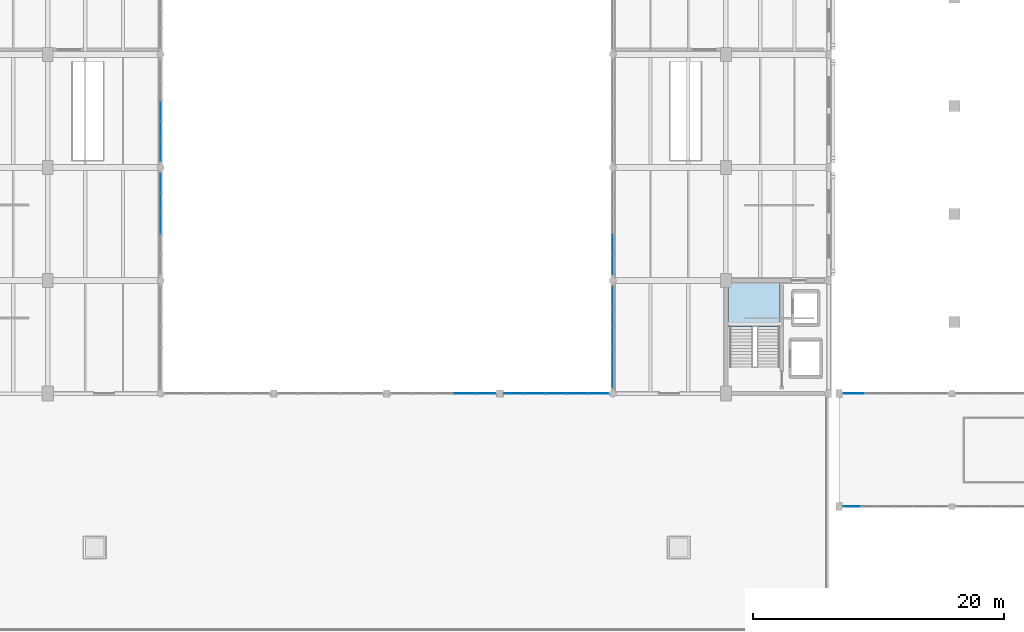
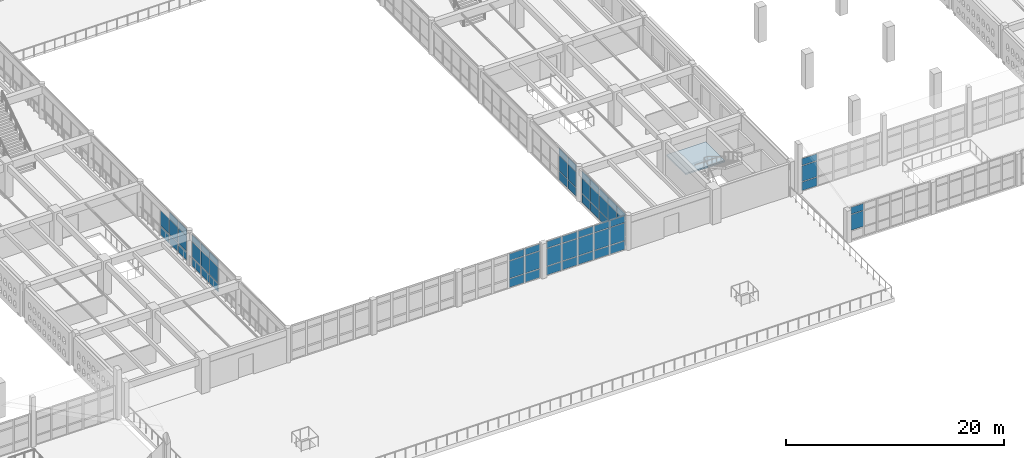
# One storey, part 110 of 156: 64 plates, 1 slab, 9 elements without a shape of their own.
"""IFC4 building model written with IfcOpenShell, lengths in metres."""

from ifc_helpers import new_model, si_unit, direction, frame, origin, origin_2d, place, context, subcontext, project, spatial, polyline, rectangle, outline, extrude, material, layer, layer_set, type_object, element, aggregate, save


model = new_model("IFC4")

# Units and contexts
model_context = context("Model", 3, precision=1e-05, world=origin(), true_north=direction((0.0, 1.0)))
body_context = subcontext(model_context, "Body", "Model", "MODEL_VIEW")
ifc_project = project(units=[si_unit("LENGTHUNIT", "METRE"), si_unit("AREAUNIT", "SQUARE_METRE"), si_unit("VOLUMEUNIT", "CUBIC_METRE"), si_unit("PLANEANGLEUNIT", "RADIAN"), si_unit("MASSUNIT", "GRAM", prefix="KILO")], contexts=[model_context])

# Site, building, storey
site_placement = place(None, origin())
site = spatial("IfcSite", under=ifc_project, at=site_placement, CompositionType="ELEMENT")
building_placement = place(site_placement, origin())
building = spatial("IfcBuilding", under=site, at=building_placement, Name="Ornek Quay Market", CompositionType="ELEMENT")
storey_placement = place(building_placement, frame((0.0, 0.0, 4.5)))
storey = spatial("IfcBuildingStorey", under=building, at=storey_placement, Name="L01", CompositionType="ELEMENT", Elevation=4.5)

# Curtain wall, plates
ifc_material_1 = material(Name="Anodised bronze aluminium and triple low-e glass", Category="aluminium")
ifc_layer_1 = layer(ifc_material_1, 0.139892578125, Name="Anodised bronze aluminium and triple low-e glass", Category="aluminium")
ifc_layer_set_1 = layer_set([ifc_layer_1], Name="Anodised bronze aluminium and triple low-e glass")
curtain_wall_type_1 = type_object("IfcCurtainWallType", Name="CW-GALLERY-INT", PredefinedType="USERDEFINED", material=ifc_layer_set_1)
curtain_wall_1_placement = place(storey_placement, origin())
curtain_wall_1 = element("IfcCurtainWall", 1, at=curtain_wall_1_placement, inside=storey, type_object=curtain_wall_type_1, Name="Curtain wall CW-098", ObjectType="CURTAIN WALL", PredefinedType="USERDEFINED")
ifc_material_2 = material(Name="Toughened laminated acoustic glass", Category="glass")
ifc_layer_2 = layer(ifc_material_2, 0.01611328125, Name="Toughened laminated acoustic glass", Category="glass")
ifc_layer_set_2 = layer_set([ifc_layer_2], Name="Toughened laminated acoustic glass")
plate_type_1 = type_object("IfcPlateType", Name="PL-CW-INT-16", PredefinedType="CURTAIN_PANEL", material=ifc_layer_set_2)
plate_1_placement = place(storey_placement, frame((72.0, 42.5, 0.06005859375), z_axis=(0.0, 0.0, 1.0), x_axis=(0.0, 1.0, 0.0)))
plate_1 = element("IfcPlate", 2, at=plate_1_placement, type_object=plate_type_1, Name="CW-098 panel 3.1", PredefinedType="CURTAIN_PANEL", context=body_context, shape_type="SweptSolid", body=[
    extrude(rectangle(XDim=1.56005859375, YDim=0.01611328125, at=origin_2d()), origin(), (0.0, 0.0, 1.0), 0.9599609375),
])
plate_2_placement = place(storey_placement, frame((72.0, 42.5, 1.080078125), z_axis=(0.0, 0.0, 1.0), x_axis=(0.0, 1.0, 0.0)))
plate_2 = element("IfcPlate", 3, at=plate_2_placement, type_object=plate_type_1, Name="CW-098 panel 3.2", PredefinedType="CURTAIN_PANEL", context=body_context, shape_type="SweptSolid", body=[
    extrude(rectangle(XDim=1.56005859375, YDim=0.01611328125, at=origin_2d()), origin(), (0.0, 0.0, 1.0), 1.699951171875),
])
plate_3_placement = place(storey_placement, frame((72.0, 42.5, 2.83984375), z_axis=(0.0, 0.0, 1.0), x_axis=(0.0, 1.0, 0.0)))
plate_3 = element("IfcPlate", 4, at=plate_3_placement, type_object=plate_type_1, Name="CW-098 panel 3.3", PredefinedType="CURTAIN_PANEL", context=body_context, shape_type="SweptSolid", body=[
    extrude(rectangle(XDim=1.56005859375, YDim=0.01611328125, at=origin_2d()), origin(), (0.0, 0.0, 1.0), 0.760009765625),
])
plate_4_placement = place(storey_placement, frame((72.0, 44.1201171875, 0.06005859375), z_axis=(0.0, 0.0, 1.0), x_axis=(0.0, 1.0, 0.0)))
plate_4 = element("IfcPlate", 5, at=plate_4_placement, type_object=plate_type_1, Name="CW-098 panel 4.1", PredefinedType="CURTAIN_PANEL", context=body_context, shape_type="SweptSolid", body=[
    extrude(rectangle(XDim=1.56005859375, YDim=0.01611328125, at=origin_2d()), origin(), (0.0, 0.0, 1.0), 0.9599609375),
])
plate_5_placement = place(storey_placement, frame((72.0, 44.1201171875, 1.080078125), z_axis=(0.0, 0.0, 1.0), x_axis=(0.0, 1.0, 0.0)))
plate_5 = element("IfcPlate", 6, at=plate_5_placement, type_object=plate_type_1, Name="CW-098 panel 4.2", PredefinedType="CURTAIN_PANEL", context=body_context, shape_type="SweptSolid", body=[
    extrude(rectangle(XDim=1.56005859375, YDim=0.01611328125, at=origin_2d()), origin(), (0.0, 0.0, 1.0), 1.699951171875),
])
plate_6_placement = place(storey_placement, frame((72.0, 44.1201171875, 2.83984375), z_axis=(0.0, 0.0, 1.0), x_axis=(0.0, 1.0, 0.0)))
plate_6 = element("IfcPlate", 7, at=plate_6_placement, type_object=plate_type_1, Name="CW-098 panel 4.3", PredefinedType="CURTAIN_PANEL", context=body_context, shape_type="SweptSolid", body=[
    extrude(rectangle(XDim=1.56005859375, YDim=0.01611328125, at=origin_2d()), origin(), (0.0, 0.0, 1.0), 0.760009765625),
])
plate_7_placement = place(storey_placement, frame((72.0, 45.72509765625, 0.06005859375), z_axis=(0.0, 0.0, 1.0), x_axis=(0.0, 1.0, 0.0)))
plate_7 = element("IfcPlate", 8, at=plate_7_placement, type_object=plate_type_1, Name="CW-098 panel 5.1", PredefinedType="CURTAIN_PANEL", context=body_context, shape_type="SweptSolid", body=[
    extrude(rectangle(XDim=1.530029296875, YDim=0.01611328125, at=origin_2d()), origin(), (0.0, 0.0, 1.0), 0.9599609375),
])
plate_8_placement = place(storey_placement, frame((72.0, 45.72509765625, 1.080078125), z_axis=(0.0, 0.0, 1.0), x_axis=(0.0, 1.0, 0.0)))
plate_8 = element("IfcPlate", 9, at=plate_8_placement, type_object=plate_type_1, Name="CW-098 panel 5.2", PredefinedType="CURTAIN_PANEL", context=body_context, shape_type="SweptSolid", body=[
    extrude(rectangle(XDim=1.530029296875, YDim=0.01611328125, at=origin_2d()), origin(), (0.0, 0.0, 1.0), 1.699951171875),
])
plate_9_placement = place(storey_placement, frame((72.0, 45.72509765625, 2.83984375), z_axis=(0.0, 0.0, 1.0), x_axis=(0.0, 1.0, 0.0)))
plate_9 = element("IfcPlate", 10, at=plate_9_placement, type_object=plate_type_1, Name="CW-098 panel 5.3", PredefinedType="CURTAIN_PANEL", context=body_context, shape_type="SweptSolid", body=[
    extrude(rectangle(XDim=1.530029296875, YDim=0.01611328125, at=origin_2d()), origin(), (0.0, 0.0, 1.0), 0.760009765625),
])
aggregate(curtain_wall_1, [plate_1, plate_2, plate_3, plate_4, plate_5, plate_6, plate_7, plate_8, plate_9])

curtain_wall_2_placement = place(storey_placement, origin())
curtain_wall_2 = element("IfcCurtainWall", 11, at=curtain_wall_2_placement, inside=storey, type_object=curtain_wall_type_1, Name="Curtain wall CW-099", ObjectType="CURTAIN WALL", PredefinedType="USERDEFINED")
plate_10_placement = place(storey_placement, frame((72.0, 48.27490234375, 0.06005859375), z_axis=(0.0, 0.0, 1.0), x_axis=(0.0, 1.0, 0.0)))
plate_10 = element("IfcPlate", 12, at=plate_10_placement, type_object=plate_type_1, Name="CW-099 panel 1.1", PredefinedType="CURTAIN_PANEL", context=body_context, shape_type="SweptSolid", body=[
    extrude(rectangle(XDim=1.530029296875, YDim=0.01611328125, at=origin_2d()), origin(), (0.0, 0.0, 1.0), 0.9599609375),
])
plate_11_placement = place(storey_placement, frame((72.0, 48.27490234375, 1.080078125), z_axis=(0.0, 0.0, 1.0), x_axis=(0.0, 1.0, 0.0)))
plate_11 = element("IfcPlate", 13, at=plate_11_placement, type_object=plate_type_1, Name="CW-099 panel 1.2", PredefinedType="CURTAIN_PANEL", context=body_context, shape_type="SweptSolid", body=[
    extrude(rectangle(XDim=1.530029296875, YDim=0.01611328125, at=origin_2d()), origin(), (0.0, 0.0, 1.0), 1.699951171875),
])
plate_12_placement = place(storey_placement, frame((72.0, 48.27490234375, 2.83984375), z_axis=(0.0, 0.0, 1.0), x_axis=(0.0, 1.0, 0.0)))
plate_12 = element("IfcPlate", 14, at=plate_12_placement, type_object=plate_type_1, Name="CW-099 panel 1.3", PredefinedType="CURTAIN_PANEL", context=body_context, shape_type="SweptSolid", body=[
    extrude(rectangle(XDim=1.530029296875, YDim=0.01611328125, at=origin_2d()), origin(), (0.0, 0.0, 1.0), 0.760009765625),
])
plate_13_placement = place(storey_placement, frame((72.0, 49.8798828125, 0.06005859375), z_axis=(0.0, 0.0, 1.0), x_axis=(0.0, 1.0, 0.0)))
plate_13 = element("IfcPlate", 15, at=plate_13_placement, type_object=plate_type_1, Name="CW-099 panel 2.1", PredefinedType="CURTAIN_PANEL", context=body_context, shape_type="SweptSolid", body=[
    extrude(rectangle(XDim=1.56005859375, YDim=0.01611328125, at=origin_2d()), origin(), (0.0, 0.0, 1.0), 0.9599609375),
])
plate_14_placement = place(storey_placement, frame((72.0, 49.8798828125, 1.080078125), z_axis=(0.0, 0.0, 1.0), x_axis=(0.0, 1.0, 0.0)))
plate_14 = element("IfcPlate", 16, at=plate_14_placement, type_object=plate_type_1, Name="CW-099 panel 2.2", PredefinedType="CURTAIN_PANEL", context=body_context, shape_type="SweptSolid", body=[
    extrude(rectangle(XDim=1.56005859375, YDim=0.01611328125, at=origin_2d()), origin(), (0.0, 0.0, 1.0), 1.699951171875),
])
plate_15_placement = place(storey_placement, frame((72.0, 49.8798828125, 2.83984375), z_axis=(0.0, 0.0, 1.0), x_axis=(0.0, 1.0, 0.0)))
plate_15 = element("IfcPlate", 17, at=plate_15_placement, type_object=plate_type_1, Name="CW-099 panel 2.3", PredefinedType="CURTAIN_PANEL", context=body_context, shape_type="SweptSolid", body=[
    extrude(rectangle(XDim=1.56005859375, YDim=0.01611328125, at=origin_2d()), origin(), (0.0, 0.0, 1.0), 0.760009765625),
])
plate_16_placement = place(storey_placement, frame((72.0, 51.5, 0.06005859375), z_axis=(0.0, 0.0, 1.0), x_axis=(0.0, 1.0, 0.0)))
plate_16 = element("IfcPlate", 18, at=plate_16_placement, type_object=plate_type_1, Name="CW-099 panel 3.1", PredefinedType="CURTAIN_PANEL", context=body_context, shape_type="SweptSolid", body=[
    extrude(rectangle(XDim=1.56005859375, YDim=0.01611328125, at=origin_2d()), origin(), (0.0, 0.0, 1.0), 0.9599609375),
])
plate_17_placement = place(storey_placement, frame((72.0, 51.5, 1.080078125), z_axis=(0.0, 0.0, 1.0), x_axis=(0.0, 1.0, 0.0)))
plate_17 = element("IfcPlate", 19, at=plate_17_placement, type_object=plate_type_1, Name="CW-099 panel 3.2", PredefinedType="CURTAIN_PANEL", context=body_context, shape_type="SweptSolid", body=[
    extrude(rectangle(XDim=1.56005859375, YDim=0.01611328125, at=origin_2d()), origin(), (0.0, 0.0, 1.0), 1.699951171875),
])
aggregate(curtain_wall_2, [plate_10, plate_11, plate_12, plate_13, plate_14, plate_15, plate_16, plate_17])

curtain_wall_3_placement = place(storey_placement, origin())
curtain_wall_3 = element("IfcCurtainWall", 20, at=curtain_wall_3_placement, inside=storey, type_object=curtain_wall_type_1, Name="Curtain wall CW-103", ObjectType="CURTAIN WALL", PredefinedType="USERDEFINED")
plate_18_placement = place(storey_placement, frame((108.0, 30.27490234375, 0.06005859375), z_axis=(0.0, 0.0, 1.0), x_axis=(0.0, 1.0, 0.0)))
plate_18 = element("IfcPlate", 21, at=plate_18_placement, type_object=plate_type_1, Name="CW-103 panel 1.1", PredefinedType="CURTAIN_PANEL", context=body_context, shape_type="SweptSolid", body=[
    extrude(rectangle(XDim=1.530029296875, YDim=0.01611328125, at=origin_2d()), origin(), (0.0, 0.0, 1.0), 0.9599609375),
])
plate_19_placement = place(storey_placement, frame((108.0, 30.27490234375, 1.080078125), z_axis=(0.0, 0.0, 1.0), x_axis=(0.0, 1.0, 0.0)))
plate_19 = element("IfcPlate", 22, at=plate_19_placement, type_object=plate_type_1, Name="CW-103 panel 1.2", PredefinedType="CURTAIN_PANEL", context=body_context, shape_type="SweptSolid", body=[
    extrude(rectangle(XDim=1.530029296875, YDim=0.01611328125, at=origin_2d()), origin(), (0.0, 0.0, 1.0), 1.699951171875),
])
plate_20_placement = place(storey_placement, frame((108.0, 30.27490234375, 2.83984375), z_axis=(0.0, 0.0, 1.0), x_axis=(0.0, 1.0, 0.0)))
plate_20 = element("IfcPlate", 23, at=plate_20_placement, type_object=plate_type_1, Name="CW-103 panel 1.3", PredefinedType="CURTAIN_PANEL", context=body_context, shape_type="SweptSolid", body=[
    extrude(rectangle(XDim=1.530029296875, YDim=0.01611328125, at=origin_2d()), origin(), (0.0, 0.0, 1.0), 0.760009765625),
])
plate_21_placement = place(storey_placement, frame((108.0, 31.8798828125, 0.06005859375), z_axis=(0.0, 0.0, 1.0), x_axis=(0.0, 1.0, 0.0)))
plate_21 = element("IfcPlate", 24, at=plate_21_placement, type_object=plate_type_1, Name="CW-103 panel 2.1", PredefinedType="CURTAIN_PANEL", context=body_context, shape_type="SweptSolid", body=[
    extrude(rectangle(XDim=1.56005859375, YDim=0.01611328125, at=origin_2d()), origin(), (0.0, 0.0, 1.0), 0.9599609375),
])
plate_22_placement = place(storey_placement, frame((108.0, 31.8798828125, 1.080078125), z_axis=(0.0, 0.0, 1.0), x_axis=(0.0, 1.0, 0.0)))
plate_22 = element("IfcPlate", 25, at=plate_22_placement, type_object=plate_type_1, Name="CW-103 panel 2.2", PredefinedType="CURTAIN_PANEL", context=body_context, shape_type="SweptSolid", body=[
    extrude(rectangle(XDim=1.56005859375, YDim=0.01611328125, at=origin_2d()), origin(), (0.0, 0.0, 1.0), 1.699951171875),
])
plate_23_placement = place(storey_placement, frame((108.0, 31.8798828125, 2.83984375), z_axis=(0.0, 0.0, 1.0), x_axis=(0.0, 1.0, 0.0)))
plate_23 = element("IfcPlate", 26, at=plate_23_placement, type_object=plate_type_1, Name="CW-103 panel 2.3", PredefinedType="CURTAIN_PANEL", context=body_context, shape_type="SweptSolid", body=[
    extrude(rectangle(XDim=1.56005859375, YDim=0.01611328125, at=origin_2d()), origin(), (0.0, 0.0, 1.0), 0.760009765625),
])
plate_24_placement = place(storey_placement, frame((108.0, 33.5, 0.06005859375), z_axis=(0.0, 0.0, 1.0), x_axis=(0.0, 1.0, 0.0)))
plate_24 = element("IfcPlate", 27, at=plate_24_placement, type_object=plate_type_1, Name="CW-103 panel 3.1", PredefinedType="CURTAIN_PANEL", context=body_context, shape_type="SweptSolid", body=[
    extrude(rectangle(XDim=1.56005859375, YDim=0.01611328125, at=origin_2d()), origin(), (0.0, 0.0, 1.0), 0.9599609375),
])
plate_25_placement = place(storey_placement, frame((108.0, 33.5, 1.080078125), z_axis=(0.0, 0.0, 1.0), x_axis=(0.0, 1.0, 0.0)))
plate_25 = element("IfcPlate", 28, at=plate_25_placement, type_object=plate_type_1, Name="CW-103 panel 3.2", PredefinedType="CURTAIN_PANEL", context=body_context, shape_type="SweptSolid", body=[
    extrude(rectangle(XDim=1.56005859375, YDim=0.01611328125, at=origin_2d()), origin(), (0.0, 0.0, 1.0), 1.699951171875),
])
plate_26_placement = place(storey_placement, frame((108.0, 33.5, 2.83984375), z_axis=(0.0, 0.0, 1.0), x_axis=(0.0, 1.0, 0.0)))
plate_26 = element("IfcPlate", 29, at=plate_26_placement, type_object=plate_type_1, Name="CW-103 panel 3.3", PredefinedType="CURTAIN_PANEL", context=body_context, shape_type="SweptSolid", body=[
    extrude(rectangle(XDim=1.56005859375, YDim=0.01611328125, at=origin_2d()), origin(), (0.0, 0.0, 1.0), 0.760009765625),
])
plate_27_placement = place(storey_placement, frame((108.0, 35.1201171875, 0.06005859375), z_axis=(0.0, 0.0, 1.0), x_axis=(0.0, 1.0, 0.0)))
plate_27 = element("IfcPlate", 30, at=plate_27_placement, type_object=plate_type_1, Name="CW-103 panel 4.1", PredefinedType="CURTAIN_PANEL", context=body_context, shape_type="SweptSolid", body=[
    extrude(rectangle(XDim=1.56005859375, YDim=0.01611328125, at=origin_2d()), origin(), (0.0, 0.0, 1.0), 0.9599609375),
])
plate_28_placement = place(storey_placement, frame((108.0, 35.1201171875, 1.080078125), z_axis=(0.0, 0.0, 1.0), x_axis=(0.0, 1.0, 0.0)))
plate_28 = element("IfcPlate", 31, at=plate_28_placement, type_object=plate_type_1, Name="CW-103 panel 4.2", PredefinedType="CURTAIN_PANEL", context=body_context, shape_type="SweptSolid", body=[
    extrude(rectangle(XDim=1.56005859375, YDim=0.01611328125, at=origin_2d()), origin(), (0.0, 0.0, 1.0), 1.699951171875),
])
plate_29_placement = place(storey_placement, frame((108.0, 35.1201171875, 2.83984375), z_axis=(0.0, 0.0, 1.0), x_axis=(0.0, 1.0, 0.0)))
plate_29 = element("IfcPlate", 32, at=plate_29_placement, type_object=plate_type_1, Name="CW-103 panel 4.3", PredefinedType="CURTAIN_PANEL", context=body_context, shape_type="SweptSolid", body=[
    extrude(rectangle(XDim=1.56005859375, YDim=0.01611328125, at=origin_2d()), origin(), (0.0, 0.0, 1.0), 0.760009765625),
])
plate_30_placement = place(storey_placement, frame((108.0, 36.72509765625, 0.06005859375), z_axis=(0.0, 0.0, 1.0), x_axis=(0.0, 1.0, 0.0)))
plate_30 = element("IfcPlate", 33, at=plate_30_placement, type_object=plate_type_1, Name="CW-103 panel 5.1", PredefinedType="CURTAIN_PANEL", context=body_context, shape_type="SweptSolid", body=[
    extrude(rectangle(XDim=1.530029296875, YDim=0.01611328125, at=origin_2d()), origin(), (0.0, 0.0, 1.0), 0.9599609375),
])
plate_31_placement = place(storey_placement, frame((108.0, 36.72509765625, 1.080078125), z_axis=(0.0, 0.0, 1.0), x_axis=(0.0, 1.0, 0.0)))
plate_31 = element("IfcPlate", 34, at=plate_31_placement, type_object=plate_type_1, Name="CW-103 panel 5.2", PredefinedType="CURTAIN_PANEL", context=body_context, shape_type="SweptSolid", body=[
    extrude(rectangle(XDim=1.530029296875, YDim=0.01611328125, at=origin_2d()), origin(), (0.0, 0.0, 1.0), 1.699951171875),
])
plate_32_placement = place(storey_placement, frame((108.0, 36.72509765625, 2.83984375), z_axis=(0.0, 0.0, 1.0), x_axis=(0.0, 1.0, 0.0)))
plate_32 = element("IfcPlate", 35, at=plate_32_placement, type_object=plate_type_1, Name="CW-103 panel 5.3", PredefinedType="CURTAIN_PANEL", context=body_context, shape_type="SweptSolid", body=[
    extrude(rectangle(XDim=1.530029296875, YDim=0.01611328125, at=origin_2d()), origin(), (0.0, 0.0, 1.0), 0.760009765625),
])
aggregate(curtain_wall_3, [plate_18, plate_19, plate_20, plate_21, plate_22, plate_23, plate_24, plate_25, plate_26, plate_27, plate_28, plate_29, plate_30, plate_31, plate_32])

curtain_wall_4_placement = place(storey_placement, origin())
curtain_wall_4 = element("IfcCurtainWall", 36, at=curtain_wall_4_placement, inside=storey, type_object=curtain_wall_type_1, Name="Curtain wall CW-104", ObjectType="CURTAIN WALL", PredefinedType="USERDEFINED")
plate_33_placement = place(storey_placement, frame((108.0, 39.27490234375, 0.06005859375), z_axis=(0.0, 0.0, 1.0), x_axis=(0.0, 1.0, 0.0)))
plate_33 = element("IfcPlate", 37, at=plate_33_placement, type_object=plate_type_1, Name="CW-104 panel 1.1", PredefinedType="CURTAIN_PANEL", context=body_context, shape_type="SweptSolid", body=[
    extrude(rectangle(XDim=1.530029296875, YDim=0.01611328125, at=origin_2d()), origin(), (0.0, 0.0, 1.0), 0.9599609375),
])
plate_34_placement = place(storey_placement, frame((108.0, 39.27490234375, 1.080078125), z_axis=(0.0, 0.0, 1.0), x_axis=(0.0, 1.0, 0.0)))
plate_34 = element("IfcPlate", 38, at=plate_34_placement, type_object=plate_type_1, Name="CW-104 panel 1.2", PredefinedType="CURTAIN_PANEL", context=body_context, shape_type="SweptSolid", body=[
    extrude(rectangle(XDim=1.530029296875, YDim=0.01611328125, at=origin_2d()), origin(), (0.0, 0.0, 1.0), 1.699951171875),
])
plate_35_placement = place(storey_placement, frame((108.0, 39.27490234375, 2.83984375), z_axis=(0.0, 0.0, 1.0), x_axis=(0.0, 1.0, 0.0)))
plate_35 = element("IfcPlate", 39, at=plate_35_placement, type_object=plate_type_1, Name="CW-104 panel 1.3", PredefinedType="CURTAIN_PANEL", context=body_context, shape_type="SweptSolid", body=[
    extrude(rectangle(XDim=1.530029296875, YDim=0.01611328125, at=origin_2d()), origin(), (0.0, 0.0, 1.0), 0.760009765625),
])
plate_36_placement = place(storey_placement, frame((108.0, 40.8798828125, 0.06005859375), z_axis=(0.0, 0.0, 1.0), x_axis=(0.0, 1.0, 0.0)))
plate_36 = element("IfcPlate", 40, at=plate_36_placement, type_object=plate_type_1, Name="CW-104 panel 2.1", PredefinedType="CURTAIN_PANEL", context=body_context, shape_type="SweptSolid", body=[
    extrude(rectangle(XDim=1.56005859375, YDim=0.01611328125, at=origin_2d()), origin(), (0.0, 0.0, 1.0), 0.9599609375),
])
plate_37_placement = place(storey_placement, frame((108.0, 40.8798828125, 1.080078125), z_axis=(0.0, 0.0, 1.0), x_axis=(0.0, 1.0, 0.0)))
plate_37 = element("IfcPlate", 41, at=plate_37_placement, type_object=plate_type_1, Name="CW-104 panel 2.2", PredefinedType="CURTAIN_PANEL", context=body_context, shape_type="SweptSolid", body=[
    extrude(rectangle(XDim=1.56005859375, YDim=0.01611328125, at=origin_2d()), origin(), (0.0, 0.0, 1.0), 1.699951171875),
])
plate_38_placement = place(storey_placement, frame((108.0, 40.8798828125, 2.83984375), z_axis=(0.0, 0.0, 1.0), x_axis=(0.0, 1.0, 0.0)))
plate_38 = element("IfcPlate", 42, at=plate_38_placement, type_object=plate_type_1, Name="CW-104 panel 2.3", PredefinedType="CURTAIN_PANEL", context=body_context, shape_type="SweptSolid", body=[
    extrude(rectangle(XDim=1.56005859375, YDim=0.01611328125, at=origin_2d()), origin(), (0.0, 0.0, 1.0), 0.760009765625),
])
aggregate(curtain_wall_4, [plate_33, plate_34, plate_35, plate_36, plate_37, plate_38])

ifc_layer_3 = layer(ifc_material_1, 0.179931640625, Name="Anodised bronze aluminium and triple low-e glass", Category="aluminium")
ifc_layer_set_3 = layer_set([ifc_layer_3], Name="Anodised bronze aluminium and triple low-e glass")
curtain_wall_type_2 = type_object("IfcCurtainWallType", Name="CW-CONC-MOD1500", PredefinedType="USERDEFINED", material=ifc_layer_set_3)
curtain_wall_5_placement = place(storey_placement, origin())
curtain_wall_5 = element("IfcCurtainWall", 43, at=curtain_wall_5_placement, inside=storey, type_object=curtain_wall_type_2, Name="Curtain wall CW-036", ObjectType="CURTAIN WALL", PredefinedType="USERDEFINED")
ifc_material_3 = material(Name="Triple insulated low-e glass", Category="glass")
ifc_layer_4 = layer(ifc_material_3, 0.035888671875, Name="Triple insulated low-e glass", Category="glass")
ifc_layer_set_4 = layer_set([ifc_layer_4], Name="Triple insulated low-e glass")
plate_type_2 = type_object("IfcPlateType", Name="PL-CW-TRIPLE-36", PredefinedType="CURTAIN_PANEL", material=ifc_layer_set_4)
plate_39_placement = place(storey_placement, frame((127.014892578125, 20.0, 1.080078125), z_axis=(0.0, 0.0, 1.0), x_axis=(1.0, 0.0, 0.0)))
plate_39 = element("IfcPlate", 44, at=plate_39_placement, type_object=plate_type_2, Name="CW-036 panel 1.2", PredefinedType="CURTAIN_PANEL", context=body_context, shape_type="SweptSolid", body=[
    extrude(rectangle(XDim=1.31005859375, YDim=0.035888671875, at=origin_2d()), origin(), (0.0, 0.0, 1.0), 1.75),
])
plate_40_placement = place(storey_placement, frame((127.014892578125, 20.0, 2.89013671875), z_axis=(0.0, 0.0, 1.0), x_axis=(1.0, 0.0, 0.0)))
plate_40 = element("IfcPlate", 45, at=plate_40_placement, type_object=plate_type_2, Name="CW-036 panel 1.3", PredefinedType="CURTAIN_PANEL", context=body_context, shape_type="SweptSolid", body=[
    extrude(rectangle(XDim=1.31005859375, YDim=0.035888671875, at=origin_2d()), origin(), (0.0, 0.0, 1.0), 0.760009765625),
])
aggregate(curtain_wall_5, [plate_39, plate_40])

ifc_layer_5 = layer(ifc_material_1, 0.199951171875, Name="Anodised bronze aluminium and triple low-e glass", Category="aluminium")
ifc_layer_set_5 = layer_set([ifc_layer_5], Name="Anodised bronze aluminium and triple low-e glass")
curtain_wall_type_3 = type_object("IfcCurtainWallType", Name="CW-CONC-MOD1800", PredefinedType="USERDEFINED", material=ifc_layer_set_5)
curtain_wall_6_placement = place(storey_placement, origin())
curtain_wall_6 = element("IfcCurtainWall", 46, at=curtain_wall_6_placement, inside=storey, type_object=curtain_wall_type_3, Name="Curtain wall CW-035", ObjectType="CURTAIN WALL", PredefinedType="USERDEFINED")
ifc_layer_6 = layer(ifc_material_3, 0.0419921875, Name="Triple insulated low-e glass", Category="glass")
ifc_layer_set_6 = layer_set([ifc_layer_6], Name="Triple insulated low-e glass")
plate_type_3 = type_object("IfcPlateType", Name="PL-CW-TRIPLE-42", PredefinedType="CURTAIN_PANEL", material=ifc_layer_set_6)
plate_41_placement = place(storey_placement, frame((127.15625, 29.0, 0.06494140625), z_axis=(0.0, 0.0, 1.0), x_axis=(1.0, 0.0, 0.0)))
plate_41 = element("IfcPlate", 47, at=plate_41_placement, type_object=plate_type_3, Name="CW-035 panel 1.1", PredefinedType="CURTAIN_PANEL", context=body_context, shape_type="SweptSolid", body=[
    extrude(rectangle(XDim=1.58251953125, YDim=0.0419921875, at=origin_2d()), origin(), (0.0, 0.0, 1.0), 0.952392578125),
])
plate_42_placement = place(storey_placement, frame((127.15625, 29.0, 1.08251953125), z_axis=(0.0, 0.0, 1.0), x_axis=(1.0, 0.0, 0.0)))
plate_42 = element("IfcPlate", 48, at=plate_42_placement, type_object=plate_type_3, Name="CW-035 panel 1.2", PredefinedType="CURTAIN_PANEL", context=body_context, shape_type="SweptSolid", body=[
    extrude(rectangle(XDim=1.58251953125, YDim=0.0419921875, at=origin_2d()), origin(), (0.0, 0.0, 1.0), 1.7451171875),
])
plate_43_placement = place(storey_placement, frame((127.15625, 29.0, 2.892578125), z_axis=(0.0, 0.0, 1.0), x_axis=(1.0, 0.0, 0.0)))
plate_43 = element("IfcPlate", 49, at=plate_43_placement, type_object=plate_type_3, Name="CW-035 panel 1.3", PredefinedType="CURTAIN_PANEL", context=body_context, shape_type="SweptSolid", body=[
    extrude(rectangle(XDim=1.58251953125, YDim=0.0419921875, at=origin_2d()), origin(), (0.0, 0.0, 1.0), 0.75244140625),
])
aggregate(curtain_wall_6, [plate_41, plate_42, plate_43])

ifc_layer_7 = layer(ifc_material_1, 0.239990234375, Name="Anodised bronze aluminium and triple low-e glass", Category="aluminium")
ifc_layer_set_7 = layer_set([ifc_layer_7], Name="Anodised bronze aluminium and triple low-e glass")
curtain_wall_type_4 = type_object("IfcCurtainWallType", Name="CW-GAB-MOD1800", PredefinedType="USERDEFINED", material=ifc_layer_set_7)
curtain_wall_7_placement = place(storey_placement, origin())
curtain_wall_7 = element("IfcCurtainWall", 50, at=curtain_wall_7_placement, inside=storey, type_object=curtain_wall_type_4, Name="Curtain wall CW-071", ObjectType="CURTAIN WALL", PredefinedType="USERDEFINED")
plate_44_placement = place(storey_placement, frame((96.18798828125, 29.0, 0.074951171875), z_axis=(0.0, 0.0, 1.0), x_axis=(1.0, 0.0, 0.0)))
plate_44 = element("IfcPlate", 51, at=plate_44_placement, type_object=plate_type_3, Name="CW-071 panel 4.1", PredefinedType="CURTAIN_PANEL", context=body_context, shape_type="SweptSolid", body=[
    extrude(rectangle(XDim=1.60791015625, YDim=0.0419921875, at=origin_2d()), origin(), (0.0, 0.0, 1.0), 0.9375),
])
plate_45_placement = place(storey_placement, frame((96.18798828125, 29.0, 1.08740234375), z_axis=(0.0, 0.0, 1.0), x_axis=(1.0, 0.0, 0.0)))
plate_45 = element("IfcPlate", 52, at=plate_45_placement, type_object=plate_type_3, Name="CW-071 panel 4.2", PredefinedType="CURTAIN_PANEL", context=body_context, shape_type="SweptSolid", body=[
    extrude(rectangle(XDim=1.60791015625, YDim=0.0419921875, at=origin_2d()), origin(), (0.0, 0.0, 1.0), 1.925048828125),
])
plate_46_placement = place(storey_placement, frame((96.18798828125, 29.0, 3.08740234375), z_axis=(0.0, 0.0, 1.0), x_axis=(1.0, 0.0, 0.0)))
plate_46 = element("IfcPlate", 53, at=plate_46_placement, type_object=plate_type_3, Name="CW-071 panel 4.3", PredefinedType="CURTAIN_PANEL", context=body_context, shape_type="SweptSolid", body=[
    extrude(rectangle(XDim=1.60791015625, YDim=0.0419921875, at=origin_2d()), origin(), (0.0, 0.0, 1.0), 0.737548828125),
])
plate_47_placement = place(storey_placement, frame((97.85595703125, 29.0, 0.074951171875), z_axis=(0.0, 0.0, 1.0), x_axis=(1.0, 0.0, 0.0)))
plate_47 = element("IfcPlate", 54, at=plate_47_placement, type_object=plate_type_3, Name="CW-071 panel 5.1", PredefinedType="CURTAIN_PANEL", context=body_context, shape_type="SweptSolid", body=[
    extrude(rectangle(XDim=1.568115234375, YDim=0.0419921875, at=origin_2d()), origin(), (0.0, 0.0, 1.0), 0.9375),
])
plate_48_placement = place(storey_placement, frame((97.85595703125, 29.0, 1.08740234375), z_axis=(0.0, 0.0, 1.0), x_axis=(1.0, 0.0, 0.0)))
plate_48 = element("IfcPlate", 55, at=plate_48_placement, type_object=plate_type_3, Name="CW-071 panel 5.2", PredefinedType="CURTAIN_PANEL", context=body_context, shape_type="SweptSolid", body=[
    extrude(rectangle(XDim=1.568115234375, YDim=0.0419921875, at=origin_2d()), origin(), (0.0, 0.0, 1.0), 1.925048828125),
])
plate_49_placement = place(storey_placement, frame((97.85595703125, 29.0, 3.08740234375), z_axis=(0.0, 0.0, 1.0), x_axis=(1.0, 0.0, 0.0)))
plate_49 = element("IfcPlate", 56, at=plate_49_placement, type_object=plate_type_3, Name="CW-071 panel 5.3", PredefinedType="CURTAIN_PANEL", context=body_context, shape_type="SweptSolid", body=[
    extrude(rectangle(XDim=1.568115234375, YDim=0.0419921875, at=origin_2d()), origin(), (0.0, 0.0, 1.0), 0.737548828125),
])
aggregate(curtain_wall_7, [plate_44, plate_45, plate_46, plate_47, plate_48, plate_49])

curtain_wall_8_placement = place(storey_placement, origin())
curtain_wall_8 = element("IfcCurtainWall", 57, at=curtain_wall_8_placement, inside=storey, type_object=curtain_wall_type_4, Name="Curtain wall CW-074", ObjectType="CURTAIN WALL", PredefinedType="USERDEFINED")
plate_50_placement = place(storey_placement, frame((100.14404296875, 29.0, 0.074951171875), z_axis=(0.0, 0.0, 1.0), x_axis=(1.0, 0.0, 0.0)))
plate_50 = element("IfcPlate", 58, at=plate_50_placement, type_object=plate_type_3, Name="CW-074 panel 1.1", PredefinedType="CURTAIN_PANEL", context=body_context, shape_type="SweptSolid", body=[
    extrude(rectangle(XDim=1.568115234375, YDim=0.0419921875, at=origin_2d()), origin(), (0.0, 0.0, 1.0), 0.9375),
])
plate_51_placement = place(storey_placement, frame((100.14404296875, 29.0, 1.08740234375), z_axis=(0.0, 0.0, 1.0), x_axis=(1.0, 0.0, 0.0)))
plate_51 = element("IfcPlate", 59, at=plate_51_placement, type_object=plate_type_3, Name="CW-074 panel 1.2", PredefinedType="CURTAIN_PANEL", context=body_context, shape_type="SweptSolid", body=[
    extrude(rectangle(XDim=1.568115234375, YDim=0.0419921875, at=origin_2d()), origin(), (0.0, 0.0, 1.0), 1.925048828125),
])
plate_52_placement = place(storey_placement, frame((100.14404296875, 29.0, 3.08740234375), z_axis=(0.0, 0.0, 1.0), x_axis=(1.0, 0.0, 0.0)))
plate_52 = element("IfcPlate", 60, at=plate_52_placement, type_object=plate_type_3, Name="CW-074 panel 1.3", PredefinedType="CURTAIN_PANEL", context=body_context, shape_type="SweptSolid", body=[
    extrude(rectangle(XDim=1.568115234375, YDim=0.0419921875, at=origin_2d()), origin(), (0.0, 0.0, 1.0), 0.737548828125),
])
plate_53_placement = place(storey_placement, frame((101.81201171875, 29.0, 0.074951171875), z_axis=(0.0, 0.0, 1.0), x_axis=(1.0, 0.0, 0.0)))
plate_53 = element("IfcPlate", 61, at=plate_53_placement, type_object=plate_type_3, Name="CW-074 panel 2.1", PredefinedType="CURTAIN_PANEL", context=body_context, shape_type="SweptSolid", body=[
    extrude(rectangle(XDim=1.60791015625, YDim=0.0419921875, at=origin_2d()), origin(), (0.0, 0.0, 1.0), 0.9375),
])
plate_54_placement = place(storey_placement, frame((101.81201171875, 29.0, 1.08740234375), z_axis=(0.0, 0.0, 1.0), x_axis=(1.0, 0.0, 0.0)))
plate_54 = element("IfcPlate", 62, at=plate_54_placement, type_object=plate_type_3, Name="CW-074 panel 2.2", PredefinedType="CURTAIN_PANEL", context=body_context, shape_type="SweptSolid", body=[
    extrude(rectangle(XDim=1.60791015625, YDim=0.0419921875, at=origin_2d()), origin(), (0.0, 0.0, 1.0), 1.925048828125),
])
plate_55_placement = place(storey_placement, frame((101.81201171875, 29.0, 3.08740234375), z_axis=(0.0, 0.0, 1.0), x_axis=(1.0, 0.0, 0.0)))
plate_55 = element("IfcPlate", 63, at=plate_55_placement, type_object=plate_type_3, Name="CW-074 panel 2.3", PredefinedType="CURTAIN_PANEL", context=body_context, shape_type="SweptSolid", body=[
    extrude(rectangle(XDim=1.60791015625, YDim=0.0419921875, at=origin_2d()), origin(), (0.0, 0.0, 1.0), 0.737548828125),
])
plate_56_placement = place(storey_placement, frame((103.5, 29.0, 0.074951171875), z_axis=(0.0, 0.0, 1.0), x_axis=(1.0, 0.0, 0.0)))
plate_56 = element("IfcPlate", 64, at=plate_56_placement, type_object=plate_type_3, Name="CW-074 panel 3.1", PredefinedType="CURTAIN_PANEL", context=body_context, shape_type="SweptSolid", body=[
    extrude(rectangle(XDim=1.60791015625, YDim=0.0419921875, at=origin_2d()), origin(), (0.0, 0.0, 1.0), 0.9375),
])
plate_57_placement = place(storey_placement, frame((103.5, 29.0, 1.08740234375), z_axis=(0.0, 0.0, 1.0), x_axis=(1.0, 0.0, 0.0)))
plate_57 = element("IfcPlate", 65, at=plate_57_placement, type_object=plate_type_3, Name="CW-074 panel 3.2", PredefinedType="CURTAIN_PANEL", context=body_context, shape_type="SweptSolid", body=[
    extrude(rectangle(XDim=1.60791015625, YDim=0.0419921875, at=origin_2d()), origin(), (0.0, 0.0, 1.0), 1.925048828125),
])
plate_58_placement = place(storey_placement, frame((103.5, 29.0, 3.08740234375), z_axis=(0.0, 0.0, 1.0), x_axis=(1.0, 0.0, 0.0)))
plate_58 = element("IfcPlate", 66, at=plate_58_placement, type_object=plate_type_3, Name="CW-074 panel 3.3", PredefinedType="CURTAIN_PANEL", context=body_context, shape_type="SweptSolid", body=[
    extrude(rectangle(XDim=1.60791015625, YDim=0.0419921875, at=origin_2d()), origin(), (0.0, 0.0, 1.0), 0.737548828125),
])
plate_59_placement = place(storey_placement, frame((105.18798828125, 29.0, 0.074951171875), z_axis=(0.0, 0.0, 1.0), x_axis=(1.0, 0.0, 0.0)))
plate_59 = element("IfcPlate", 67, at=plate_59_placement, type_object=plate_type_3, Name="CW-074 panel 4.1", PredefinedType="CURTAIN_PANEL", context=body_context, shape_type="SweptSolid", body=[
    extrude(rectangle(XDim=1.60791015625, YDim=0.0419921875, at=origin_2d()), origin(), (0.0, 0.0, 1.0), 0.9375),
])
plate_60_placement = place(storey_placement, frame((105.18798828125, 29.0, 1.08740234375), z_axis=(0.0, 0.0, 1.0), x_axis=(1.0, 0.0, 0.0)))
plate_60 = element("IfcPlate", 68, at=plate_60_placement, type_object=plate_type_3, Name="CW-074 panel 4.2", PredefinedType="CURTAIN_PANEL", context=body_context, shape_type="SweptSolid", body=[
    extrude(rectangle(XDim=1.60791015625, YDim=0.0419921875, at=origin_2d()), origin(), (0.0, 0.0, 1.0), 1.925048828125),
])
plate_61_placement = place(storey_placement, frame((105.18798828125, 29.0, 3.08740234375), z_axis=(0.0, 0.0, 1.0), x_axis=(1.0, 0.0, 0.0)))
plate_61 = element("IfcPlate", 69, at=plate_61_placement, type_object=plate_type_3, Name="CW-074 panel 4.3", PredefinedType="CURTAIN_PANEL", context=body_context, shape_type="SweptSolid", body=[
    extrude(rectangle(XDim=1.60791015625, YDim=0.0419921875, at=origin_2d()), origin(), (0.0, 0.0, 1.0), 0.737548828125),
])
plate_62_placement = place(storey_placement, frame((106.85595703125, 29.0, 0.074951171875), z_axis=(0.0, 0.0, 1.0), x_axis=(1.0, 0.0, 0.0)))
plate_62 = element("IfcPlate", 70, at=plate_62_placement, type_object=plate_type_3, Name="CW-074 panel 5.1", PredefinedType="CURTAIN_PANEL", context=body_context, shape_type="SweptSolid", body=[
    extrude(rectangle(XDim=1.568115234375, YDim=0.0419921875, at=origin_2d()), origin(), (0.0, 0.0, 1.0), 0.9375),
])
plate_63_placement = place(storey_placement, frame((106.85595703125, 29.0, 1.08740234375), z_axis=(0.0, 0.0, 1.0), x_axis=(1.0, 0.0, 0.0)))
plate_63 = element("IfcPlate", 71, at=plate_63_placement, type_object=plate_type_3, Name="CW-074 panel 5.2", PredefinedType="CURTAIN_PANEL", context=body_context, shape_type="SweptSolid", body=[
    extrude(rectangle(XDim=1.568115234375, YDim=0.0419921875, at=origin_2d()), origin(), (0.0, 0.0, 1.0), 1.925048828125),
])
plate_64_placement = place(storey_placement, frame((106.85595703125, 29.0, 3.08740234375), z_axis=(0.0, 0.0, 1.0), x_axis=(1.0, 0.0, 0.0)))
plate_64 = element("IfcPlate", 72, at=plate_64_placement, type_object=plate_type_3, Name="CW-074 panel 5.3", PredefinedType="CURTAIN_PANEL", context=body_context, shape_type="SweptSolid", body=[
    extrude(rectangle(XDim=1.568115234375, YDim=0.0419921875, at=origin_2d()), origin(), (0.0, 0.0, 1.0), 0.737548828125),
])
aggregate(curtain_wall_8, [plate_50, plate_51, plate_52, plate_53, plate_54, plate_55, plate_56, plate_57, plate_58, plate_59, plate_60, plate_61, plate_62, plate_63, plate_64])

# Stair, slab
ifc_material_4 = material(Name="Precast concrete C40/50", Category="concrete")
stair_type = type_object("IfcStairType", Name="ST-CORE-L01-L02", PredefinedType="HALF_TURN_STAIR", material=ifc_material_4)
stair_placement = place(storey_placement, origin())
stair = element("IfcStair", 73, at=stair_placement, inside=storey, type_object=stair_type, Name="Core stair ST-04-L01 (L01 to L02)", PredefinedType="HALF_TURN_STAIR")
ifc_layer_8 = layer(ifc_material_4, 0.1650390625, Name="Precast concrete C40/50", Category="concrete")
ifc_layer_set_8 = layer_set([ifc_layer_8], Name="Precast concrete C40/50")
slab_type = type_object("IfcSlabType", Name="SL-LND-165", PredefinedType="LANDING", material=ifc_layer_set_8)
slab_placement = place(storey_placement, frame((0.0, 0.0, 1.784912109375)))
slab = element("IfcSlab", 74, at=slab_placement, type_object=slab_type, Name="ST-04-L01 landing 1", PredefinedType="LANDING", context=body_context, shape_type="SweptSolid", body=[
    extrude(outline(polyline([(117.159912109375, 34.342041015625), (121.300048828125, 34.342041015625), (121.300048828125, 37.840087890625), (117.159912109375, 37.840087890625), (117.159912109375, 34.342041015625)])), origin(), (0.0, 0.0, 1.0), 0.1650390625),
])
aggregate(stair, [slab])

save(model, "model.ifc")
